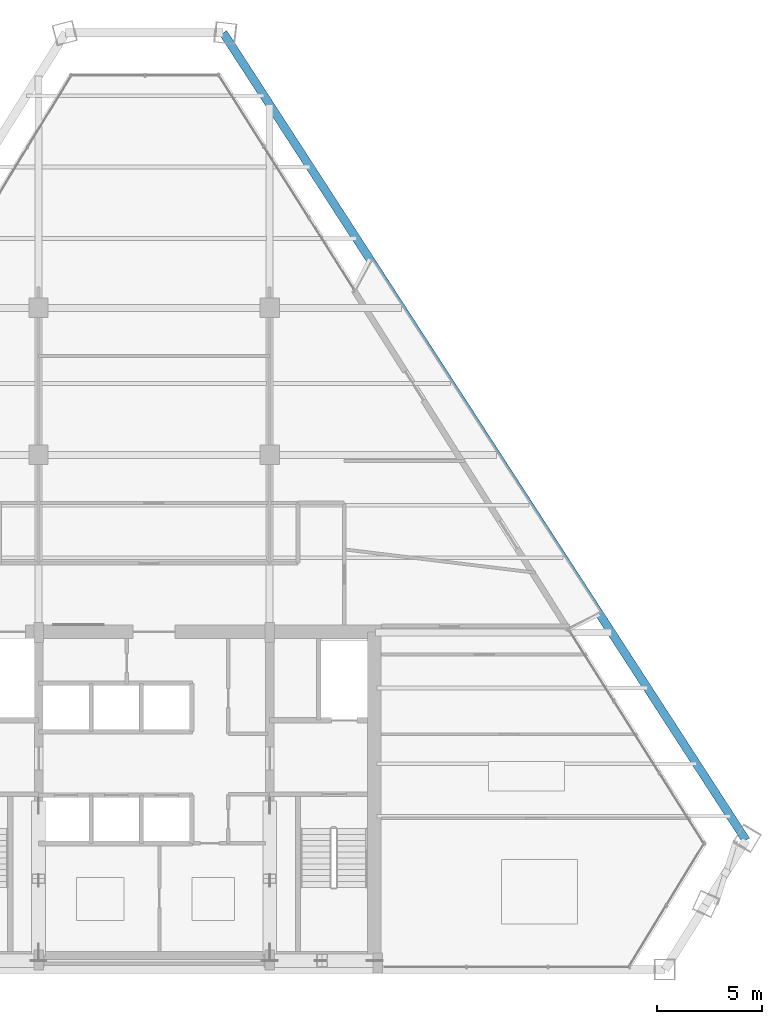
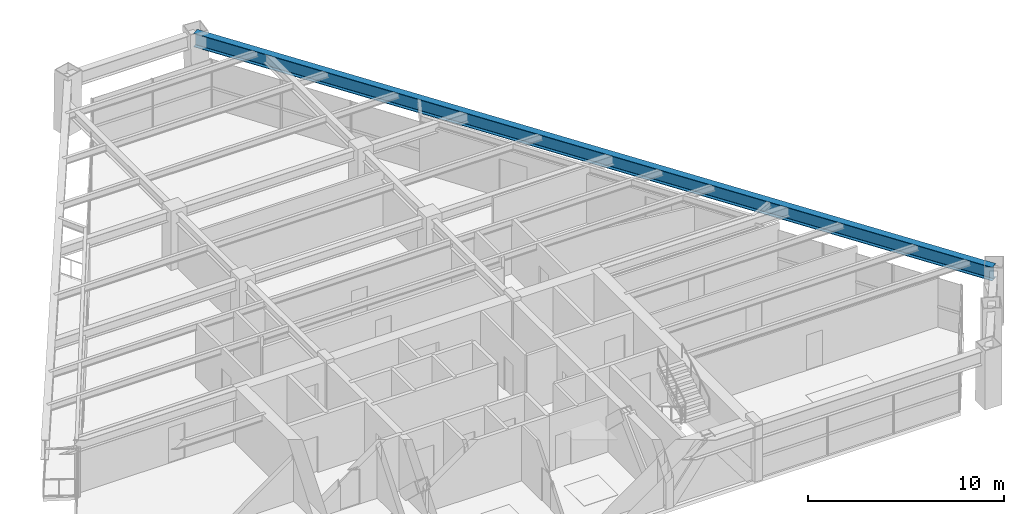
# One storey, part 5 of 13: 1 beam.
"""IFC4 building model written with IfcOpenShell, lengths in metres."""

from ifc_helpers import new_model, si_unit, direction, frame, origin, origin_2d, place, context, subcontext, project, spatial, i_section, extrude, source, transform, mapped, material, material_profile, profile_set, type_object, element, save


model = new_model("IFC4")

# Units and contexts
model_context = context("Model", 3, precision=1e-05, world=origin(), true_north=direction((0.0, 1.0)))
body_context = subcontext(model_context, "Body", "Model", "MODEL_VIEW")
ifc_project = project(units=[si_unit("LENGTHUNIT", "METRE"), si_unit("AREAUNIT", "SQUARE_METRE"), si_unit("VOLUMEUNIT", "CUBIC_METRE"), si_unit("PLANEANGLEUNIT", "RADIAN"), si_unit("MASSUNIT", "GRAM", prefix="KILO")], contexts=[model_context])

# Site, building, storey
site_placement = place(None, origin())
site = spatial("IfcSite", under=ifc_project, at=site_placement, CompositionType="ELEMENT")
building_placement = place(site_placement, origin())
building = spatial("IfcBuilding", under=site, at=building_placement, Name="Varnakhor Terracotta Tower", CompositionType="ELEMENT")
storey_placement = place(building_placement, frame((0.0, 0.0, 200.60009765625)))
storey = spatial("IfcBuildingStorey", under=building, at=storey_placement, Name="L51", CompositionType="ELEMENT", Elevation=200.60009765625)

# Beam
ifc_material = material(Name="Steel S355", Category="steel")
ifc_material_profile = material_profile(ifc_material, i_section(OverallWidth=0.39990234375, OverallDepth=0.85498046875, WebThickness=0.01806640625, FlangeThickness=0.029052734375, FilletRadius=0.01806640625, at=origin_2d()), Name="W33X201")
ifc_profile_set = profile_set([ifc_material_profile], Name="Steel S355")
beam_type = type_object("IfcBeamType", Name="BM-W33X201", PredefinedType="BEAM", material=ifc_profile_set)
shared_shape = source(origin(), body_context, "Body", "SweptSolid", [
    extrude(i_section(OverallWidth=0.39990234375, OverallDepth=0.85498046875, WebThickness=0.01806640625, FlangeThickness=0.029052734375, FilletRadius=0.01806640625, at=origin_2d()), origin(), (0.0, 0.0, 1.0), 45.798095703125),
])
beam_placement = place(storey_placement, frame((28.18115234375, 6.1494140625, 3.04248046875), z_axis=(-0.543459032689, 0.839435691276, 0.0), x_axis=(-0.839435691276, -0.543459032689, 0.0)))
element("IfcBeam", 1, at=beam_placement, inside=storey, type_object=beam_type, Name="L51 Perimeter Spandrel 4", PredefinedType="BEAM", context=body_context, shape_type="MappedRepresentation", body=[
    mapped(shared_shape, transform((0.0, 0.0, 0.0), scale=1.0)),
])

save(model, "model.ifc")
